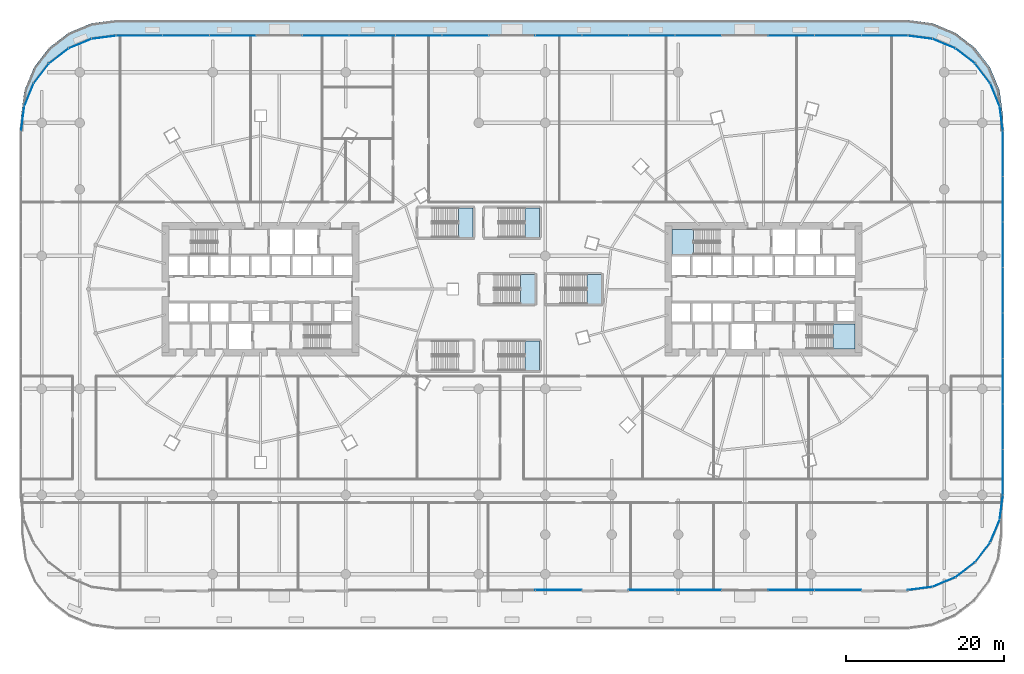
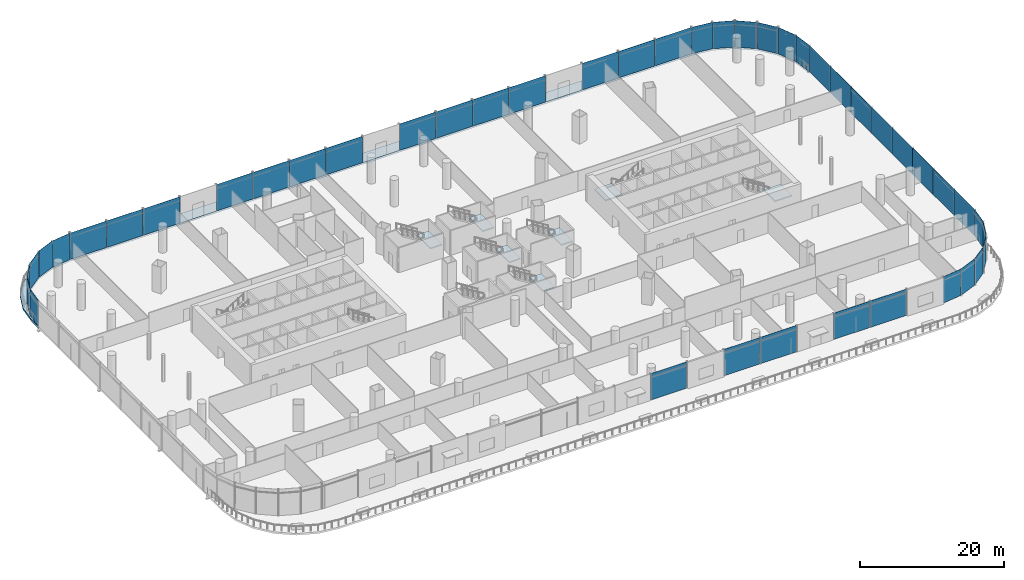
# One storey, part 25 of 43: 45 plates, 8 slabs, 8 elements without a shape of their own.
"""IFC4 building model written with IfcOpenShell, lengths in metres."""

from ifc_helpers import new_model, si_unit, direction, frame, origin, origin_2d, place, context, subcontext, project, spatial, polyline, rectangle, outline, extrude, material, layer, layer_set, type_object, element, aggregate, save


model = new_model("IFC4")

# Units and contexts
model_context = context("Model", 3, precision=1e-05, world=origin(), true_north=direction((0.0, 1.0)))
body_context = subcontext(model_context, "Body", "Model", "MODEL_VIEW")
ifc_project = project(units=[si_unit("LENGTHUNIT", "METRE"), si_unit("AREAUNIT", "SQUARE_METRE"), si_unit("VOLUMEUNIT", "CUBIC_METRE"), si_unit("PLANEANGLEUNIT", "RADIAN"), si_unit("MASSUNIT", "GRAM", prefix="KILO")], contexts=[model_context])

# Site, building, storey
site_placement = place(None, origin())
site = spatial("IfcSite", under=ifc_project, at=site_placement, CompositionType="ELEMENT")
building_placement = place(site_placement, origin())
building = spatial("IfcBuilding", under=site, at=building_placement, Name="Rimbun Link Towers", CompositionType="ELEMENT")
storey_placement = place(building_placement, frame((0.0, 0.0, 12.0)))
storey = spatial("IfcBuildingStorey", under=building, at=storey_placement, Name="L02", CompositionType="ELEMENT", Elevation=12.0)

# Curtain wall, plates
ifc_material_1 = material(Name="Aluminium 6063-T6 and low-iron glass", Category="aluminium")
curtain_wall_type = type_object("IfcCurtainWallType", Name="CW3 podium shopfront", PredefinedType="NOTDEFINED", material=ifc_material_1)
curtain_wall_placement = place(storey_placement, origin())
curtain_wall = element("IfcCurtainWall", 1, at=curtain_wall_placement, inside=storey, type_object=curtain_wall_type, Name="CW3 L02 PD", PredefinedType="NOTDEFINED")
ifc_material_2 = material(Name="Clear toughened low-iron glass", Category="glass")
ifc_layer_1 = layer(ifc_material_2, 0.02392578125)
ifc_layer_set_1 = layer_set([ifc_layer_1], Name="CW3 panel Clear toughened low-iron glass 24")
plate_type = type_object("IfcPlateType", Name="CW3 panel Clear toughened low-iron glass 24", PredefinedType="CURTAIN_PANEL", material=ifc_layer_set_1)
plate_1_placement = place(storey_placement, frame((51.554443359375, -37.807373046875, 0.0), z_axis=(0.0, 0.0, 1.0), x_axis=(-0.991444296525, -0.130530482602, 0.0)))
plate_1 = element("IfcPlate", 2, at=plate_1_placement, type_object=plate_type, Name="CW3 panel", PredefinedType="CURTAIN_PANEL", context=body_context, shape_type="SweptSolid", body=[
    extrude(rectangle(XDim=3.092529296875, YDim=0.02392578125, at=origin_2d()), origin(), (0.0, 0.0, 1.0), 4.5),
])
plate_2_placement = place(storey_placement, frame((54.557373046875, -37.002685546875, 0.0), z_axis=(0.0, 0.0, 1.0), x_axis=(-0.923881438965, -0.382678829747, 0.0)))
plate_2 = element("IfcPlate", 3, at=plate_2_placement, type_object=plate_type, Name="CW3 panel", PredefinedType="CURTAIN_PANEL", context=body_context, shape_type="SweptSolid", body=[
    extrude(rectangle(XDim=3.0927734375, YDim=0.02392578125, at=origin_2d()), origin(), (0.0, 0.0, 1.0), 4.5),
])
plate_3_placement = place(storey_placement, frame((57.25, -35.4482421875, 0.0), z_axis=(0.0, 0.0, 1.0), x_axis=(-0.793359162281, -0.608753841569, 0.0)))
plate_3 = element("IfcPlate", 4, at=plate_3_placement, type_object=plate_type, Name="CW3 panel", PredefinedType="CURTAIN_PANEL", context=body_context, shape_type="SweptSolid", body=[
    extrude(rectangle(XDim=3.092529296875, YDim=0.02392578125, at=origin_2d()), origin(), (0.0, 0.0, 1.0), 4.5),
])
plate_4_placement = place(storey_placement, frame((59.4482421875, -33.25, 0.0), z_axis=(0.0, 0.0, 1.0), x_axis=(-0.608753841569, -0.793359162281, 0.0)))
plate_4 = element("IfcPlate", 5, at=plate_4_placement, type_object=plate_type, Name="CW3 panel", PredefinedType="CURTAIN_PANEL", context=body_context, shape_type="SweptSolid", body=[
    extrude(rectangle(XDim=3.092529296875, YDim=0.02392578125, at=origin_2d()), origin(), (0.0, 0.0, 1.0), 4.5),
])
plate_5_placement = place(storey_placement, frame((61.002685546875, -30.557373046875, 0.0), z_axis=(0.0, 0.0, 1.0), x_axis=(-0.382678829747, -0.923881438965, 0.0)))
plate_5 = element("IfcPlate", 6, at=plate_5_placement, type_object=plate_type, Name="CW3 panel", PredefinedType="CURTAIN_PANEL", context=body_context, shape_type="SweptSolid", body=[
    extrude(rectangle(XDim=3.0927734375, YDim=0.02392578125, at=origin_2d()), origin(), (0.0, 0.0, 1.0), 4.5),
])
plate_6_placement = place(storey_placement, frame((61.807373046875, -27.554443359375, 0.0), z_axis=(0.0, 0.0, 1.0), x_axis=(-0.130530482602, -0.991444296525, 0.0)))
plate_6 = element("IfcPlate", 7, at=plate_6_placement, type_object=plate_type, Name="CW3 panel", PredefinedType="CURTAIN_PANEL", context=body_context, shape_type="SweptSolid", body=[
    extrude(rectangle(XDim=3.092529296875, YDim=0.02392578125, at=origin_2d()), origin(), (0.0, 0.0, 1.0), 4.5),
])
plate_7_placement = place(storey_placement, frame((62.011962890625, -23.125, 0.0), z_axis=(0.0, 0.0, 1.0), x_axis=(0.0, -1.0, 0.0)))
plate_7 = element("IfcPlate", 8, at=plate_7_placement, type_object=plate_type, Name="CW3 panel", PredefinedType="CURTAIN_PANEL", context=body_context, shape_type="SweptSolid", body=[
    extrude(rectangle(XDim=5.7099609375, YDim=0.02392578125, at=origin_2d()), origin(), (0.0, 0.0, 1.0), 4.5),
])
plate_8_placement = place(storey_placement, frame((62.011962890625, -17.375, 0.0), z_axis=(0.0, 0.0, 1.0), x_axis=(0.0, -1.0, 0.0)))
plate_8 = element("IfcPlate", 9, at=plate_8_placement, type_object=plate_type, Name="CW3 panel", PredefinedType="CURTAIN_PANEL", context=body_context, shape_type="SweptSolid", body=[
    extrude(rectangle(XDim=5.7099609375, YDim=0.02392578125, at=origin_2d()), origin(), (0.0, 0.0, 1.0), 4.5),
])
plate_9_placement = place(storey_placement, frame((62.011962890625, -11.625, 0.0), z_axis=(0.0, 0.0, 1.0), x_axis=(0.0, -1.0, 0.0)))
plate_9 = element("IfcPlate", 10, at=plate_9_placement, type_object=plate_type, Name="CW3 panel", PredefinedType="CURTAIN_PANEL", context=body_context, shape_type="SweptSolid", body=[
    extrude(rectangle(XDim=5.7099609375, YDim=0.02392578125, at=origin_2d()), origin(), (0.0, 0.0, 1.0), 4.5),
])
plate_10_placement = place(storey_placement, frame((62.011962890625, -5.875, 0.0), z_axis=(0.0, 0.0, 1.0), x_axis=(0.0, -1.0, 0.0)))
plate_10 = element("IfcPlate", 11, at=plate_10_placement, type_object=plate_type, Name="CW3 panel", PredefinedType="CURTAIN_PANEL", context=body_context, shape_type="SweptSolid", body=[
    extrude(rectangle(XDim=5.7099609375, YDim=0.02392578125, at=origin_2d()), origin(), (0.0, 0.0, 1.0), 4.5),
])
plate_11_placement = place(storey_placement, frame((62.011962890625, -0.125, 0.0), z_axis=(0.0, 0.0, 1.0), x_axis=(0.0, -1.0, 0.0)))
plate_11 = element("IfcPlate", 12, at=plate_11_placement, type_object=plate_type, Name="CW3 panel", PredefinedType="CURTAIN_PANEL", context=body_context, shape_type="SweptSolid", body=[
    extrude(rectangle(XDim=5.7099609375, YDim=0.02392578125, at=origin_2d()), origin(), (0.0, 0.0, 1.0), 4.5),
])
plate_12_placement = place(storey_placement, frame((62.011962890625, 5.625, 0.0), z_axis=(0.0, 0.0, 1.0), x_axis=(0.0, -1.0, 0.0)))
plate_12 = element("IfcPlate", 13, at=plate_12_placement, type_object=plate_type, Name="CW3 panel", PredefinedType="CURTAIN_PANEL", context=body_context, shape_type="SweptSolid", body=[
    extrude(rectangle(XDim=5.7099609375, YDim=0.02392578125, at=origin_2d()), origin(), (0.0, 0.0, 1.0), 4.5),
])
plate_13_placement = place(storey_placement, frame((62.011962890625, 11.375, 0.0), z_axis=(0.0, 0.0, 1.0), x_axis=(0.0, -1.0, 0.0)))
plate_13 = element("IfcPlate", 14, at=plate_13_placement, type_object=plate_type, Name="CW3 panel", PredefinedType="CURTAIN_PANEL", context=body_context, shape_type="SweptSolid", body=[
    extrude(rectangle(XDim=5.7099609375, YDim=0.02392578125, at=origin_2d()), origin(), (0.0, 0.0, 1.0), 4.5),
])
plate_14_placement = place(storey_placement, frame((62.011962890625, 17.125, 0.0), z_axis=(0.0, 0.0, 1.0), x_axis=(0.0, -1.0, 0.0)))
plate_14 = element("IfcPlate", 15, at=plate_14_placement, type_object=plate_type, Name="CW3 panel", PredefinedType="CURTAIN_PANEL", context=body_context, shape_type="SweptSolid", body=[
    extrude(rectangle(XDim=5.7099609375, YDim=0.02392578125, at=origin_2d()), origin(), (0.0, 0.0, 1.0), 4.5),
])
plate_15_placement = place(storey_placement, frame((61.807373046875, 21.554443359375, 0.0), z_axis=(0.0, 0.0, 1.0), x_axis=(0.130530482602, -0.991444296525, 0.0)))
plate_15 = element("IfcPlate", 16, at=plate_15_placement, type_object=plate_type, Name="CW3 panel", PredefinedType="CURTAIN_PANEL", context=body_context, shape_type="SweptSolid", body=[
    extrude(rectangle(XDim=3.092529296875, YDim=0.02392578125, at=origin_2d()), origin(), (0.0, 0.0, 1.0), 4.5),
])
plate_16_placement = place(storey_placement, frame((61.002685546875, 24.557373046875, 0.0), z_axis=(0.0, 0.0, 1.0), x_axis=(0.382678829747, -0.923881438965, 0.0)))
plate_16 = element("IfcPlate", 17, at=plate_16_placement, type_object=plate_type, Name="CW3 panel", PredefinedType="CURTAIN_PANEL", context=body_context, shape_type="SweptSolid", body=[
    extrude(rectangle(XDim=3.0927734375, YDim=0.02392578125, at=origin_2d()), origin(), (0.0, 0.0, 1.0), 4.5),
])
plate_17_placement = place(storey_placement, frame((59.4482421875, 27.25, 0.0), z_axis=(0.0, 0.0, 1.0), x_axis=(0.608753841569, -0.793359162281, 0.0)))
plate_17 = element("IfcPlate", 18, at=plate_17_placement, type_object=plate_type, Name="CW3 panel", PredefinedType="CURTAIN_PANEL", context=body_context, shape_type="SweptSolid", body=[
    extrude(rectangle(XDim=3.092529296875, YDim=0.02392578125, at=origin_2d()), origin(), (0.0, 0.0, 1.0), 4.5),
])
plate_18_placement = place(storey_placement, frame((57.25, 29.4482421875, 0.0), z_axis=(0.0, 0.0, 1.0), x_axis=(0.793359162281, -0.608753841569, 0.0)))
plate_18 = element("IfcPlate", 19, at=plate_18_placement, type_object=plate_type, Name="CW3 panel", PredefinedType="CURTAIN_PANEL", context=body_context, shape_type="SweptSolid", body=[
    extrude(rectangle(XDim=3.092529296875, YDim=0.02392578125, at=origin_2d()), origin(), (0.0, 0.0, 1.0), 4.5),
])
plate_19_placement = place(storey_placement, frame((54.557373046875, 31.002685546875, 0.0), z_axis=(0.0, 0.0, 1.0), x_axis=(0.923881438965, -0.382678829747, 0.0)))
plate_19 = element("IfcPlate", 20, at=plate_19_placement, type_object=plate_type, Name="CW3 panel", PredefinedType="CURTAIN_PANEL", context=body_context, shape_type="SweptSolid", body=[
    extrude(rectangle(XDim=3.0927734375, YDim=0.02392578125, at=origin_2d()), origin(), (0.0, 0.0, 1.0), 4.5),
])
plate_20_placement = place(storey_placement, frame((51.554443359375, 31.807373046875, 0.0), z_axis=(0.0, 0.0, 1.0), x_axis=(0.991444296525, -0.130530482602, 0.0)))
plate_20 = element("IfcPlate", 21, at=plate_20_placement, type_object=plate_type, Name="CW3 panel", PredefinedType="CURTAIN_PANEL", context=body_context, shape_type="SweptSolid", body=[
    extrude(rectangle(XDim=3.092529296875, YDim=0.02392578125, at=origin_2d()), origin(), (0.0, 0.0, 1.0), 4.5),
])
plate_21_placement = place(storey_placement, frame((47.058837890625, 32.011962890625, 0.0), z_axis=(0.0, 0.0, 1.0), x_axis=(1.0, 0.0, 0.0)))
plate_21 = element("IfcPlate", 22, at=plate_21_placement, type_object=plate_type, Name="CW3 panel", PredefinedType="CURTAIN_PANEL", context=body_context, shape_type="SweptSolid", body=[
    extrude(rectangle(XDim=5.84228515625, YDim=0.02392578125, at=origin_2d()), origin(), (0.0, 0.0, 1.0), 4.5),
])
plate_22_placement = place(storey_placement, frame((41.176513671875, 32.011962890625, 0.0), z_axis=(0.0, 0.0, 1.0), x_axis=(1.0, 0.0, 0.0)))
plate_22 = element("IfcPlate", 23, at=plate_22_placement, type_object=plate_type, Name="CW3 panel", PredefinedType="CURTAIN_PANEL", context=body_context, shape_type="SweptSolid", body=[
    extrude(rectangle(XDim=5.84228515625, YDim=0.02392578125, at=origin_2d()), origin(), (0.0, 0.0, 1.0), 4.5),
])
plate_23_placement = place(storey_placement, frame((35.294189453125, 32.011962890625, 0.0), z_axis=(0.0, 0.0, 1.0), x_axis=(1.0, 0.0, 0.0)))
plate_23 = element("IfcPlate", 24, at=plate_23_placement, type_object=plate_type, Name="CW3 panel", PredefinedType="CURTAIN_PANEL", context=body_context, shape_type="SweptSolid", body=[
    extrude(rectangle(XDim=5.84228515625, YDim=0.02392578125, at=origin_2d()), origin(), (0.0, 0.0, 1.0), 4.5),
])
plate_24_placement = place(storey_placement, frame((23.529296875, 32.011962890625, 0.0), z_axis=(0.0, 0.0, 1.0), x_axis=(1.0, 0.0, 0.0)))
plate_24 = element("IfcPlate", 25, at=plate_24_placement, type_object=plate_type, Name="CW3 panel", PredefinedType="CURTAIN_PANEL", context=body_context, shape_type="SweptSolid", body=[
    extrude(rectangle(XDim=5.84228515625, YDim=0.02392578125, at=origin_2d()), origin(), (0.0, 0.0, 1.0), 4.5),
])
plate_25_placement = place(storey_placement, frame((17.64697265625, 32.011962890625, 0.0), z_axis=(0.0, 0.0, 1.0), x_axis=(1.0, 0.0, 0.0)))
plate_25 = element("IfcPlate", 26, at=plate_25_placement, type_object=plate_type, Name="CW3 panel", PredefinedType="CURTAIN_PANEL", context=body_context, shape_type="SweptSolid", body=[
    extrude(rectangle(XDim=5.84228515625, YDim=0.02392578125, at=origin_2d()), origin(), (0.0, 0.0, 1.0), 4.5),
])
plate_26_placement = place(storey_placement, frame((11.7646484375, 32.011962890625, 0.0), z_axis=(0.0, 0.0, 1.0), x_axis=(1.0, 0.0, 0.0)))
plate_26 = element("IfcPlate", 27, at=plate_26_placement, type_object=plate_type, Name="CW3 panel", PredefinedType="CURTAIN_PANEL", context=body_context, shape_type="SweptSolid", body=[
    extrude(rectangle(XDim=5.84228515625, YDim=0.02392578125, at=origin_2d()), origin(), (0.0, 0.0, 1.0), 4.5),
])
plate_27_placement = place(storey_placement, frame((5.88232421875, 32.011962890625, 0.0), z_axis=(0.0, 0.0, 1.0), x_axis=(1.0, 0.0, 0.0)))
plate_27 = element("IfcPlate", 28, at=plate_27_placement, type_object=plate_type, Name="CW3 panel", PredefinedType="CURTAIN_PANEL", context=body_context, shape_type="SweptSolid", body=[
    extrude(rectangle(XDim=5.84228515625, YDim=0.02392578125, at=origin_2d()), origin(), (0.0, 0.0, 1.0), 4.5),
])
plate_28_placement = place(storey_placement, frame((-5.88232421875, 32.011962890625, 0.0), z_axis=(0.0, 0.0, 1.0), x_axis=(1.0, 0.0, 0.0)))
plate_28 = element("IfcPlate", 29, at=plate_28_placement, type_object=plate_type, Name="CW3 panel", PredefinedType="CURTAIN_PANEL", context=body_context, shape_type="SweptSolid", body=[
    extrude(rectangle(XDim=5.84228515625, YDim=0.02392578125, at=origin_2d()), origin(), (0.0, 0.0, 1.0), 4.5),
])
plate_29_placement = place(storey_placement, frame((-11.7646484375, 32.011962890625, 0.0), z_axis=(0.0, 0.0, 1.0), x_axis=(1.0, 0.0, 0.0)))
plate_29 = element("IfcPlate", 30, at=plate_29_placement, type_object=plate_type, Name="CW3 panel", PredefinedType="CURTAIN_PANEL", context=body_context, shape_type="SweptSolid", body=[
    extrude(rectangle(XDim=5.84228515625, YDim=0.02392578125, at=origin_2d()), origin(), (0.0, 0.0, 1.0), 4.5),
])
plate_30_placement = place(storey_placement, frame((-17.64697265625, 32.011962890625, 0.0), z_axis=(0.0, 0.0, 1.0), x_axis=(1.0, 0.0, 0.0)))
plate_30 = element("IfcPlate", 31, at=plate_30_placement, type_object=plate_type, Name="CW3 panel", PredefinedType="CURTAIN_PANEL", context=body_context, shape_type="SweptSolid", body=[
    extrude(rectangle(XDim=5.84228515625, YDim=0.02392578125, at=origin_2d()), origin(), (0.0, 0.0, 1.0), 4.5),
])
plate_31_placement = place(storey_placement, frame((-23.529296875, 32.011962890625, 0.0), z_axis=(0.0, 0.0, 1.0), x_axis=(1.0, 0.0, 0.0)))
plate_31 = element("IfcPlate", 32, at=plate_31_placement, type_object=plate_type, Name="CW3 panel", PredefinedType="CURTAIN_PANEL", context=body_context, shape_type="SweptSolid", body=[
    extrude(rectangle(XDim=5.84228515625, YDim=0.02392578125, at=origin_2d()), origin(), (0.0, 0.0, 1.0), 4.5),
])
plate_32_placement = place(storey_placement, frame((-35.294189453125, 32.011962890625, 0.0), z_axis=(0.0, 0.0, 1.0), x_axis=(1.0, 0.0, 0.0)))
plate_32 = element("IfcPlate", 33, at=plate_32_placement, type_object=plate_type, Name="CW3 panel", PredefinedType="CURTAIN_PANEL", context=body_context, shape_type="SweptSolid", body=[
    extrude(rectangle(XDim=5.84228515625, YDim=0.02392578125, at=origin_2d()), origin(), (0.0, 0.0, 1.0), 4.5),
])
plate_33_placement = place(storey_placement, frame((-41.176513671875, 32.011962890625, 0.0), z_axis=(0.0, 0.0, 1.0), x_axis=(1.0, 0.0, 0.0)))
plate_33 = element("IfcPlate", 34, at=plate_33_placement, type_object=plate_type, Name="CW3 panel", PredefinedType="CURTAIN_PANEL", context=body_context, shape_type="SweptSolid", body=[
    extrude(rectangle(XDim=5.84228515625, YDim=0.02392578125, at=origin_2d()), origin(), (0.0, 0.0, 1.0), 4.5),
])
plate_34_placement = place(storey_placement, frame((-47.058837890625, 32.011962890625, 0.0), z_axis=(0.0, 0.0, 1.0), x_axis=(1.0, 0.0, 0.0)))
plate_34 = element("IfcPlate", 35, at=plate_34_placement, type_object=plate_type, Name="CW3 panel", PredefinedType="CURTAIN_PANEL", context=body_context, shape_type="SweptSolid", body=[
    extrude(rectangle(XDim=5.84228515625, YDim=0.02392578125, at=origin_2d()), origin(), (0.0, 0.0, 1.0), 4.5),
])
plate_35_placement = place(storey_placement, frame((-51.554443359375, 31.807373046875, 0.0), z_axis=(0.0, 0.0, 1.0), x_axis=(0.991444296525, 0.130530482602, 0.0)))
plate_35 = element("IfcPlate", 36, at=plate_35_placement, type_object=plate_type, Name="CW3 panel", PredefinedType="CURTAIN_PANEL", context=body_context, shape_type="SweptSolid", body=[
    extrude(rectangle(XDim=3.092529296875, YDim=0.02392578125, at=origin_2d()), origin(), (0.0, 0.0, 1.0), 4.5),
])
plate_36_placement = place(storey_placement, frame((-54.557373046875, 31.002685546875, 0.0), z_axis=(0.0, 0.0, 1.0), x_axis=(0.923881438965, 0.382678829747, 0.0)))
plate_36 = element("IfcPlate", 37, at=plate_36_placement, type_object=plate_type, Name="CW3 panel", PredefinedType="CURTAIN_PANEL", context=body_context, shape_type="SweptSolid", body=[
    extrude(rectangle(XDim=3.0927734375, YDim=0.02392578125, at=origin_2d()), origin(), (0.0, 0.0, 1.0), 4.5),
])
plate_37_placement = place(storey_placement, frame((-57.25, 29.4482421875, 0.0), z_axis=(0.0, 0.0, 1.0), x_axis=(0.793359162281, 0.608753841569, 0.0)))
plate_37 = element("IfcPlate", 38, at=plate_37_placement, type_object=plate_type, Name="CW3 panel", PredefinedType="CURTAIN_PANEL", context=body_context, shape_type="SweptSolid", body=[
    extrude(rectangle(XDim=3.092529296875, YDim=0.02392578125, at=origin_2d()), origin(), (0.0, 0.0, 1.0), 4.5),
])
plate_38_placement = place(storey_placement, frame((-59.4482421875, 27.25, 0.0), z_axis=(0.0, 0.0, 1.0), x_axis=(0.608753841569, 0.793359162281, 0.0)))
plate_38 = element("IfcPlate", 39, at=plate_38_placement, type_object=plate_type, Name="CW3 panel", PredefinedType="CURTAIN_PANEL", context=body_context, shape_type="SweptSolid", body=[
    extrude(rectangle(XDim=3.092529296875, YDim=0.02392578125, at=origin_2d()), origin(), (0.0, 0.0, 1.0), 4.5),
])
plate_39_placement = place(storey_placement, frame((-61.002685546875, 24.557373046875, 0.0), z_axis=(0.0, 0.0, 1.0), x_axis=(0.382678829747, 0.923881438965, 0.0)))
plate_39 = element("IfcPlate", 40, at=plate_39_placement, type_object=plate_type, Name="CW3 panel", PredefinedType="CURTAIN_PANEL", context=body_context, shape_type="SweptSolid", body=[
    extrude(rectangle(XDim=3.0927734375, YDim=0.02392578125, at=origin_2d()), origin(), (0.0, 0.0, 1.0), 4.5),
])
plate_40_placement = place(storey_placement, frame((-61.807373046875, 21.554443359375, 0.0), z_axis=(0.0, 0.0, 1.0), x_axis=(0.130530482602, 0.991444296525, 0.0)))
plate_40 = element("IfcPlate", 41, at=plate_40_placement, type_object=plate_type, Name="CW3 panel", PredefinedType="CURTAIN_PANEL", context=body_context, shape_type="SweptSolid", body=[
    extrude(rectangle(XDim=3.092529296875, YDim=0.02392578125, at=origin_2d()), origin(), (0.0, 0.0, 1.0), 4.5),
])
plate_41_placement = place(storey_placement, frame((5.88232421875, -38.011962890625, 0.0), z_axis=(0.0, 0.0, 1.0), x_axis=(-1.0, 0.0, 0.0)))
plate_41 = element("IfcPlate", 42, at=plate_41_placement, type_object=plate_type, Name="CW3 panel", PredefinedType="CURTAIN_PANEL", context=body_context, shape_type="SweptSolid", body=[
    extrude(rectangle(XDim=5.84228515625, YDim=0.02392578125, at=origin_2d()), origin(), (0.0, 0.0, 1.0), 4.5),
])
plate_42_placement = place(storey_placement, frame((17.64697265625, -38.011962890625, 0.0), z_axis=(0.0, 0.0, 1.0), x_axis=(-1.0, 0.0, 0.0)))
plate_42 = element("IfcPlate", 43, at=plate_42_placement, type_object=plate_type, Name="CW3 panel", PredefinedType="CURTAIN_PANEL", context=body_context, shape_type="SweptSolid", body=[
    extrude(rectangle(XDim=5.84228515625, YDim=0.02392578125, at=origin_2d()), origin(), (0.0, 0.0, 1.0), 4.5),
])
plate_43_placement = place(storey_placement, frame((23.529296875, -38.011962890625, 0.0), z_axis=(0.0, 0.0, 1.0), x_axis=(-1.0, 0.0, 0.0)))
plate_43 = element("IfcPlate", 44, at=plate_43_placement, type_object=plate_type, Name="CW3 panel", PredefinedType="CURTAIN_PANEL", context=body_context, shape_type="SweptSolid", body=[
    extrude(rectangle(XDim=5.84228515625, YDim=0.02392578125, at=origin_2d()), origin(), (0.0, 0.0, 1.0), 4.5),
])
plate_44_placement = place(storey_placement, frame((35.294189453125, -38.011962890625, 0.0), z_axis=(0.0, 0.0, 1.0), x_axis=(-1.0, 0.0, 0.0)))
plate_44 = element("IfcPlate", 45, at=plate_44_placement, type_object=plate_type, Name="CW3 panel", PredefinedType="CURTAIN_PANEL", context=body_context, shape_type="SweptSolid", body=[
    extrude(rectangle(XDim=5.84228515625, YDim=0.02392578125, at=origin_2d()), origin(), (0.0, 0.0, 1.0), 4.5),
])
plate_45_placement = place(storey_placement, frame((41.176513671875, -38.011962890625, 0.0), z_axis=(0.0, 0.0, 1.0), x_axis=(-1.0, 0.0, 0.0)))
plate_45 = element("IfcPlate", 46, at=plate_45_placement, type_object=plate_type, Name="CW3 panel", PredefinedType="CURTAIN_PANEL", context=body_context, shape_type="SweptSolid", body=[
    extrude(rectangle(XDim=5.84228515625, YDim=0.02392578125, at=origin_2d()), origin(), (0.0, 0.0, 1.0), 4.5),
])
aggregate(curtain_wall, [plate_1, plate_2, plate_3, plate_4, plate_5, plate_6, plate_7, plate_8, plate_9, plate_10, plate_11, plate_12, plate_13, plate_14, plate_15, plate_16, plate_17, plate_18, plate_19, plate_20, plate_21, plate_22, plate_23, plate_24, plate_25, plate_26, plate_27, plate_28, plate_29, plate_30, plate_31, plate_32, plate_33, plate_34, plate_35, plate_36, plate_37, plate_38, plate_39, plate_40, plate_41, plate_42, plate_43, plate_44, plate_45])

# Slab
ifc_material_3 = material(Name="Concrete C40/50", Category="concrete")
ifc_layer_2 = layer(ifc_material_3, 0.300048828125)
ifc_layer_set_2 = layer_set([ifc_layer_2], Name="PODIUM TERRACE SLAB 300")
slab_type_1 = type_object("IfcSlabType", Name="PODIUM TERRACE SLAB 300", PredefinedType="FLOOR", material=ifc_layer_set_2)
slab_1_placement = place(storey_placement, frame((0.0, 0.0, -0.300048828125)))
element("IfcSlab", 47, at=slab_1_placement, inside=storey, type_object=slab_type_1, Name="Terrace slab L02", PredefinedType="FLOOR", context=body_context, shape_type="SweptSolid", body=[
    extrude(outline(polyline([(-61.591064453125, 25.105712890625), (-60.392333984375, 28.0), (-58.4853515625, 30.4853515625), (-56.0, 32.392333984375), (-53.105712890625, 33.591064453125), (-50.0, 34.0), (50.0, 34.0), (53.105712890625, 33.591064453125), (56.0, 32.392333984375), (58.4853515625, 30.4853515625), (60.392333984375, 28.0), (61.591064453125, 25.105712890625), (62.0, 22.0), (62.0, 20.0), (61.591064453125, 23.105712890625), (60.392333984375, 26.0), (58.4853515625, 28.4853515625), (56.0, 30.392333984375), (53.105712890625, 31.591064453125), (50.0, 32.0), (-50.0, 32.0), (-53.105712890625, 31.591064453125), (-56.0, 30.392333984375), (-58.4853515625, 28.4853515625), (-60.392333984375, 26.0), (-61.591064453125, 23.105712890625), (-62.0, 20.0), (-62.0, 22.0), (-61.591064453125, 25.105712890625)])), origin(), (0.0, 0.0, 1.0), 0.300048828125),
])

# Stair, slab
ifc_material_4 = material(Name="Concrete C40/50", Category="concrete")
stair_type_1 = type_object("IfcStairType", Name="Exit stair 4500 rise", PredefinedType="HALF_TURN_STAIR", material=ifc_material_4)
stair_1_placement = place(storey_placement, origin())
stair_1 = element("IfcStair", 48, at=stair_1_placement, inside=storey, type_object=stair_type_1, Name="L02 EXIT STAIR A", PredefinedType="HALF_TURN_STAIR")
ifc_material_5 = material(Name="Concrete C40/50", Category="concrete")
ifc_layer_3 = layer(ifc_material_5, 0.199951171875)
ifc_layer_set_3 = layer_set([ifc_layer_3], Name="Stair landing")
slab_type_2 = type_object("IfcSlabType", Name="Stair landing", PredefinedType="LANDING", material=ifc_layer_set_3)
slab_2_placement = place(storey_placement, frame((0.0, 0.0, 2.050048828125)))
slab_2 = element("IfcSlab", 49, at=slab_2_placement, type_object=slab_type_2, Name="ST3 landing 1", PredefinedType="LANDING", context=body_context, shape_type="SweptSolid", body=[
    extrude(outline(polyline([(22.93994140625, 7.550048828125), (20.199951171875, 7.550048828125), (20.199951171875, 4.39990234375), (22.93994140625, 4.39990234375), (22.93994140625, 7.550048828125)])), origin(), (0.0, 0.0, 1.0), 0.199951171875),
])
aggregate(stair_1, [slab_2])

stair_2_placement = place(storey_placement, origin())
stair_2 = element("IfcStair", 50, at=stair_2_placement, inside=storey, type_object=stair_type_1, Name="L02 EXIT STAIR B", PredefinedType="HALF_TURN_STAIR")
slab_3_placement = place(storey_placement, frame((0.0, 0.0, 2.050048828125)))
slab_3 = element("IfcSlab", 51, at=slab_3_placement, type_object=slab_type_2, Name="ST4 landing 1", PredefinedType="LANDING", context=body_context, shape_type="SweptSolid", body=[
    extrude(outline(polyline([(40.56005859375, -7.550048828125), (43.300048828125, -7.550048828125), (43.300048828125, -4.39990234375), (40.56005859375, -4.39990234375), (40.56005859375, -7.550048828125)])), origin(), (0.0, 0.0, 1.0), 0.199951171875),
])
aggregate(stair_2, [slab_3])

ifc_material_6 = material(Name="Concrete C40/50", Category="concrete")
stair_type_2 = type_object("IfcStairType", Name="Podium exit stair 1800", PredefinedType="HALF_TURN_STAIR", material=ifc_material_6)
stair_3_placement = place(storey_placement, origin())
stair_3 = element("IfcStair", 52, at=stair_3_placement, inside=storey, type_object=stair_type_2, Name="L02 PODIUM EXIT STAIR", PredefinedType="HALF_TURN_STAIR")
slab_4_placement = place(storey_placement, frame((0.0, 0.0, 2.050048828125)))
slab_4 = element("IfcSlab", 53, at=slab_4_placement, type_object=slab_type_2, Name="PS2 landing 1", PredefinedType="LANDING", context=body_context, shape_type="SweptSolid", body=[
    extrude(outline(polyline([(1.659912109375, -10.27490234375), (3.5, -10.27490234375), (3.5, -6.52490234375), (1.659912109375, -6.52490234375), (1.659912109375, -10.27490234375)])), origin(), (0.0, 0.0, 1.0), 0.199951171875),
])
aggregate(stair_3, [slab_4])

stair_4_placement = place(storey_placement, origin())
stair_4 = element("IfcStair", 54, at=stair_4_placement, inside=storey, type_object=stair_type_2, Name="L02 PODIUM EXIT STAIR", PredefinedType="HALF_TURN_STAIR")
slab_5_placement = place(storey_placement, frame((0.0, 0.0, 2.050048828125)))
slab_5 = element("IfcSlab", 55, at=slab_5_placement, type_object=slab_type_2, Name="PS3 landing 1", PredefinedType="LANDING", context=body_context, shape_type="SweptSolid", body=[
    extrude(outline(polyline([(-6.739990234375, 6.52490234375), (-4.89990234375, 6.52490234375), (-4.89990234375, 10.27490234375), (-6.739990234375, 10.27490234375), (-6.739990234375, 6.52490234375)])), origin(), (0.0, 0.0, 1.0), 0.199951171875),
])
aggregate(stair_4, [slab_5])

stair_5_placement = place(storey_placement, origin())
stair_5 = element("IfcStair", 56, at=stair_5_placement, inside=storey, type_object=stair_type_2, Name="L02 PODIUM EXIT STAIR", PredefinedType="HALF_TURN_STAIR")
slab_6_placement = place(storey_placement, frame((0.0, 0.0, 2.050048828125)))
slab_6 = element("IfcSlab", 57, at=slab_6_placement, type_object=slab_type_2, Name="PS4 landing 1", PredefinedType="LANDING", context=body_context, shape_type="SweptSolid", body=[
    extrude(outline(polyline([(1.659912109375, 6.52490234375), (3.5, 6.52490234375), (3.5, 10.27490234375), (1.659912109375, 10.27490234375), (1.659912109375, 6.52490234375)])), origin(), (0.0, 0.0, 1.0), 0.199951171875),
])
aggregate(stair_5, [slab_6])

stair_6_placement = place(storey_placement, origin())
stair_6 = element("IfcStair", 58, at=stair_6_placement, inside=storey, type_object=stair_type_2, Name="L02 PODIUM EXIT STAIR", PredefinedType="HALF_TURN_STAIR")
slab_7_placement = place(storey_placement, frame((0.0, 0.0, 2.050048828125)))
slab_7 = element("IfcSlab", 59, at=slab_7_placement, type_object=slab_type_2, Name="PS5 landing 1", PredefinedType="LANDING", context=body_context, shape_type="SweptSolid", body=[
    extrude(outline(polyline([(9.4599609375, -1.875), (11.300048828125, -1.875), (11.300048828125, 1.875), (9.4599609375, 1.875), (9.4599609375, -1.875)])), origin(), (0.0, 0.0, 1.0), 0.199951171875),
])
aggregate(stair_6, [slab_7])

stair_7_placement = place(storey_placement, origin())
stair_7 = element("IfcStair", 60, at=stair_7_placement, inside=storey, type_object=stair_type_2, Name="L02 PODIUM EXIT STAIR", PredefinedType="HALF_TURN_STAIR")
slab_8_placement = place(storey_placement, frame((0.0, 0.0, 2.050048828125)))
slab_8 = element("IfcSlab", 61, at=slab_8_placement, type_object=slab_type_2, Name="PS6 landing 1", PredefinedType="LANDING", context=body_context, shape_type="SweptSolid", body=[
    extrude(outline(polyline([(1.06005859375, -1.875), (2.89990234375, -1.875), (2.89990234375, 1.875), (1.06005859375, 1.875), (1.06005859375, -1.875)])), origin(), (0.0, 0.0, 1.0), 0.199951171875),
])
aggregate(stair_7, [slab_8])

save(model, "model.ifc")
